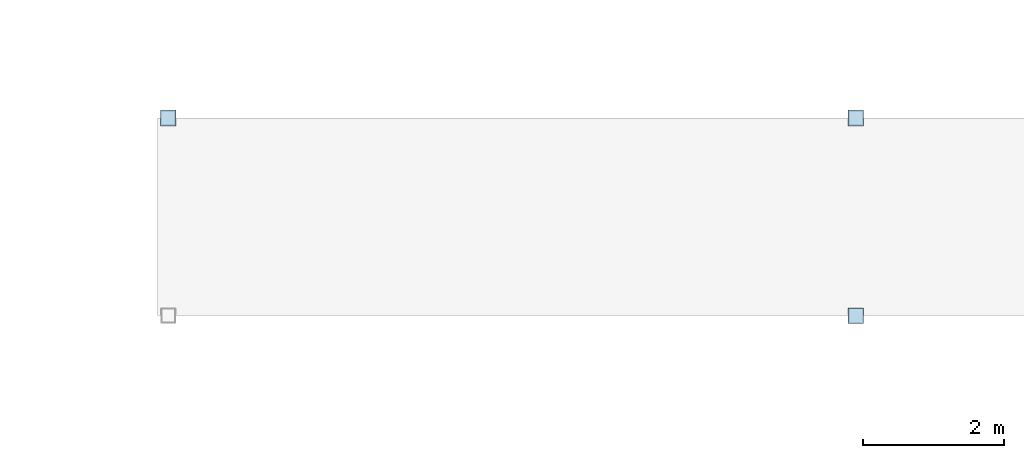
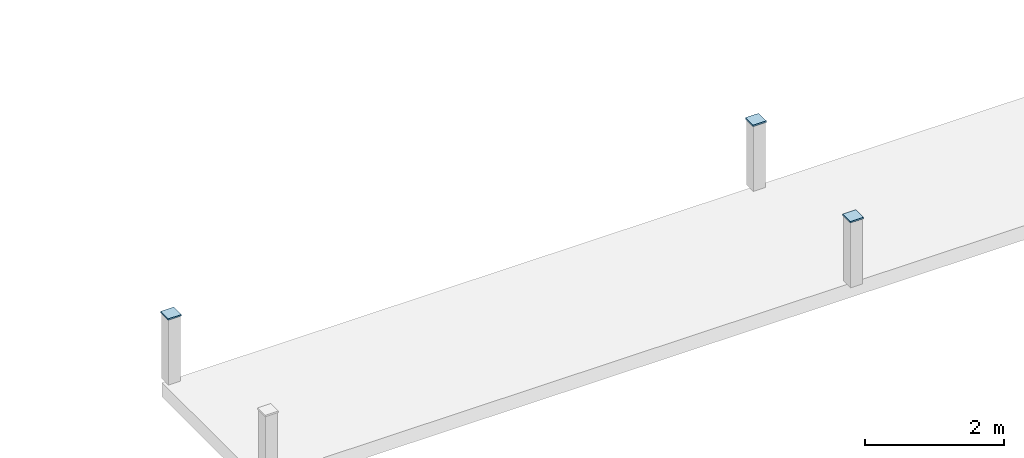
# One storey, part 113 of 147: 3 plates.
"""IFC4 building model written with IfcOpenShell, lengths in metres."""

from ifc_helpers import new_model, si_unit, direction, frame, origin, origin_2d, place, context, subcontext, project, spatial, rectangle, extrude, material, layer, layer_set, type_object, element, save


model = new_model("IFC4")

# Units and contexts
model_context = context("Model", 3, precision=1e-05, world=origin(), true_north=direction((0.0, 1.0)))
body_context = subcontext(model_context, "Body", "Model", "MODEL_VIEW")
ifc_project = project(units=[si_unit("LENGTHUNIT", "METRE"), si_unit("AREAUNIT", "SQUARE_METRE"), si_unit("VOLUMEUNIT", "CUBIC_METRE"), si_unit("PLANEANGLEUNIT", "RADIAN"), si_unit("MASSUNIT", "GRAM", prefix="KILO")], contexts=[model_context])

# Site, building, storey
site_placement = place(None, origin())
site = spatial("IfcSite", under=ifc_project, at=site_placement, CompositionType="ELEMENT")
building_placement = place(site_placement, origin())
building = spatial("IfcBuilding", under=site, at=building_placement, Name="Karori Crest Natural Sciences Institute", CompositionType="ELEMENT")
storey_placement = place(building_placement, frame((0.0, 0.0, 9.10009765625)))
storey = spatial("IfcBuildingStorey", under=building, at=storey_placement, Name="L02", CompositionType="ELEMENT", Elevation=9.10009765625)

# Plates
ifc_material = material(Name="Structural steel AS/NZS 3679.1 Grade 350", Category="steel")
ifc_layer = layer(ifc_material, 0.02490234375, Name="Structural steel AS/NZS 3679.1 Grade 350")
ifc_layer_set = layer_set([ifc_layer], Name="Structural steel AS/NZS 3679.1 Grade 350")
plate_type = type_object("IfcPlateType", Name="PLT-06-EL", PredefinedType="SHEET", material=ifc_layer_set)
for number, where, z_axis, x_axis, name in (
    (1, (51.7900390625, 59.199951171875, 1.14990234375), (0.0, 0.0, 1.0), (1.0, 0.0, 0.0), "Hollow section end cap EP-0187"),
    (2, (61.530029296875, 56.39990234375, 1.14990234375), (0.0, 0.0, 1.0), (1.0, 0.0, 0.0), "Hollow section end cap EP-0191"),
    (3, (61.530029296875, 59.199951171875, 1.14990234375), (0.0, 0.0, 1.0), (1.0, 0.0, 0.0), "Hollow section end cap EP-0194"),
):
    element("IfcPlate", number, at=place(storey_placement, frame(where, z_axis=z_axis, x_axis=x_axis)), inside=storey, type_object=plate_type, Name=name, PredefinedType="SHEET", context=body_context, shape_type="SweptSolid", body=[
        extrude(rectangle(XDim=0.219970703125, YDim=0.219970703125, at=origin_2d()), origin(), (0.0, 0.0, 1.0), 0.02490234375),
    ])

save(model, "model.ifc")
